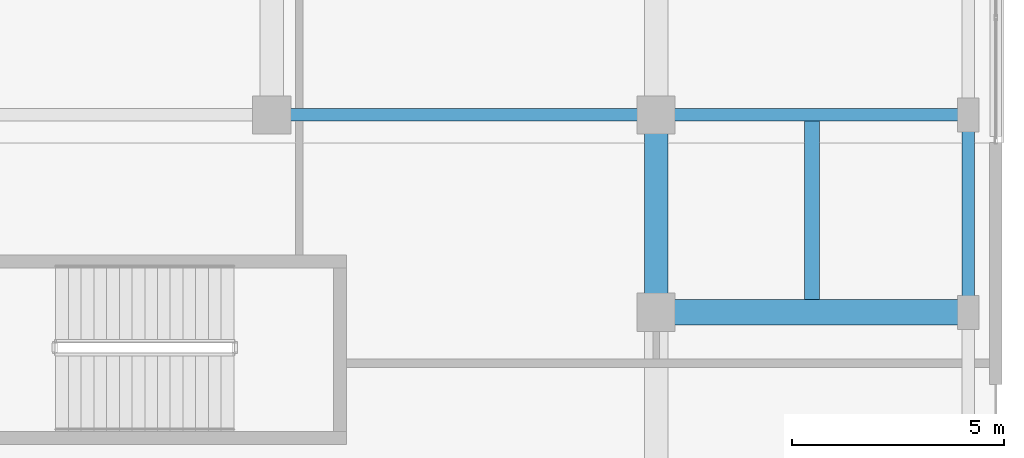
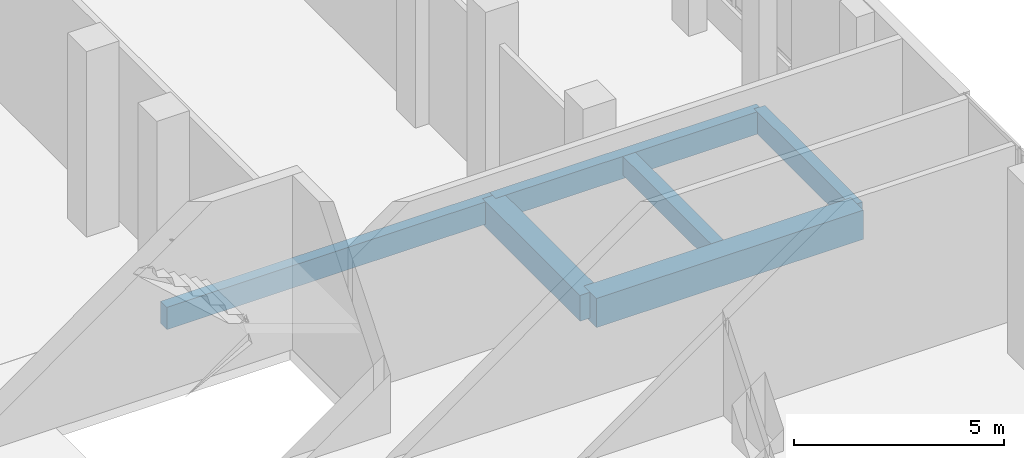
# One storey, part 107 of 158: 6 beams.
"""IFC4 building model written with IfcOpenShell, lengths in metres."""

from ifc_helpers import new_model, si_unit, direction, frame, origin, origin_2d, place, context, subcontext, project, spatial, rectangle, extrude, material, material_profile, profile_set, type_object, element, save


model = new_model("IFC4")

# Units and contexts
model_context = context("Model", 3, precision=1e-05, world=origin(), true_north=direction((0.0, 1.0)))
body_context = subcontext(model_context, "Body", "Model", "MODEL_VIEW")
ifc_project = project(units=[si_unit("LENGTHUNIT", "METRE"), si_unit("AREAUNIT", "SQUARE_METRE"), si_unit("VOLUMEUNIT", "CUBIC_METRE"), si_unit("PLANEANGLEUNIT", "RADIAN"), si_unit("MASSUNIT", "GRAM", prefix="KILO")], contexts=[model_context])

# Site, building, storey
site_placement = place(None, origin())
site = spatial("IfcSite", under=ifc_project, at=site_placement, CompositionType="ELEMENT")
building_placement = place(site_placement, origin())
building = spatial("IfcBuilding", under=site, at=building_placement, Name="Selatvlak General Hospital", CompositionType="ELEMENT")
storey_placement = place(building_placement, origin())
storey = spatial("IfcBuildingStorey", under=building, at=storey_placement, Name="L00", CompositionType="ELEMENT", Elevation=0.0)

# Beams
ifc_material = material(Name="Concrete C40/50", Category="concrete")
ifc_material_profile_1 = material_profile(ifc_material, rectangle(XDim=0.60009765625, YDim=0.85009765625, at=origin_2d()), Name="RC-BM 600x850")
ifc_profile_set_1 = profile_set([ifc_material_profile_1], Name="Concrete C40/50")
beam_type_1 = type_object("IfcBeamType", Name="BM-G01", PredefinedType="BEAM", material=ifc_profile_set_1)
beam_1_placement = place(storey_placement, frame((174.0, 84.0, -0.77490234375), z_axis=(1.0, 0.0, 0.0), x_axis=(0.0, 1.0, 0.0)))
element("IfcBeam", 1, at=beam_1_placement, inside=storey, type_object=beam_type_1, Name="Beam BMR-L00-0054", PredefinedType="BEAM", context=body_context, shape_type="SweptSolid", body=[
    extrude(rectangle(XDim=0.60009765625, YDim=0.85009765625, at=origin_2d()), origin(), (0.0, 0.0, 1.0), 7.35009765625),
])
ifc_material_profile_2 = material_profile(ifc_material, rectangle(XDim=0.550048828125, YDim=0.75, at=origin_2d()), Name="RC-BM 550x750")
ifc_profile_set_2 = profile_set([ifc_material_profile_2], Name="Concrete C40/50")
beam_type_2 = type_object("IfcBeamType", Name="BM-G02", PredefinedType="BEAM", material=ifc_profile_set_2)
beam_2_placement = place(storey_placement, frame((174.0, 84.0, -0.72509765625), z_axis=(0.0, 1.0, 0.0), x_axis=(-1.0, 0.0, 0.0)))
element("IfcBeam", 2, at=beam_2_placement, inside=storey, type_object=beam_type_2, Name="Beam BMR-L00-0297", PredefinedType="BEAM", context=body_context, shape_type="SweptSolid", body=[
    extrude(rectangle(XDim=0.550048828125, YDim=0.75, at=origin_2d()), origin(), (0.0, 0.0, 1.0), 4.64990234375),
])
ifc_material_profile_3 = material_profile(ifc_material, rectangle(XDim=0.35009765625, YDim=0.550048828125, at=origin_2d()), Name="RC-BM 350x550")
ifc_profile_set_3 = profile_set([ifc_material_profile_3], Name="Concrete C40/50")
beam_type_3 = type_object("IfcBeamType", Name="BM-J01", PredefinedType="JOIST", material=ifc_profile_set_3)
beam_3_placement = place(storey_placement, frame((177.675048828125, 84.300048828125, -0.625), z_axis=(0.0, 1.0, 0.0), x_axis=(-1.0, 0.0, 0.0)))
element("IfcBeam", 3, at=beam_3_placement, inside=storey, type_object=beam_type_3, Name="Beam BMR-L00-0318", PredefinedType="JOIST", context=body_context, shape_type="SweptSolid", body=[
    extrude(rectangle(XDim=0.35009765625, YDim=0.550048828125, at=origin_2d()), origin(), (0.0, 0.0, 1.0), 4.199951171875),
])
ifc_material_profile_4 = material_profile(ifc_material, rectangle(XDim=0.300048828125, YDim=0.64990234375, at=origin_2d()), Name="RC-SP 300x650")
ifc_profile_set_4 = profile_set([ifc_material_profile_4], Name="Concrete C40/50")
beam_type_4 = type_object("IfcBeamType", Name="BM-SP1", PredefinedType="SPANDREL", material=ifc_profile_set_4)
beam_4_placement = place(storey_placement, frame((164.949951171875, 88.64990234375, -0.675048828125), z_axis=(1.0, 0.0, 0.0), x_axis=(0.0, 1.0, 0.0)))
element("IfcBeam", 4, at=beam_4_placement, inside=storey, type_object=beam_type_4, Name="Beam BMR-L00-0070", PredefinedType="SPANDREL", context=body_context, shape_type="SweptSolid", body=[
    extrude(rectangle(XDim=0.300048828125, YDim=0.64990234375, at=origin_2d()), origin(), (0.0, 0.0, 1.0), 9.050048828125),
])
beam_5_placement = place(storey_placement, frame((174.0, 88.64990234375, -0.675048828125), z_axis=(1.0, 0.0, 0.0), x_axis=(0.0, 1.0, 0.0)))
element("IfcBeam", 5, at=beam_5_placement, inside=storey, type_object=beam_type_4, Name="Beam BMR-L00-0071", PredefinedType="SPANDREL", context=body_context, shape_type="SweptSolid", body=[
    extrude(rectangle(XDim=0.300048828125, YDim=0.64990234375, at=origin_2d()), origin(), (0.0, 0.0, 1.0), 7.35009765625),
])
beam_6_placement = place(storey_placement, frame((181.35009765625, 84.0, -0.675048828125), z_axis=(0.0, 1.0, 0.0), x_axis=(-1.0, 0.0, 0.0)))
element("IfcBeam", 6, at=beam_6_placement, inside=storey, type_object=beam_type_4, Name="Beam BMR-L00-0306", PredefinedType="SPANDREL", context=body_context, shape_type="SweptSolid", body=[
    extrude(rectangle(XDim=0.300048828125, YDim=0.64990234375, at=origin_2d()), origin(), (0.0, 0.0, 1.0), 4.64990234375),
])

save(model, "model.ifc")
